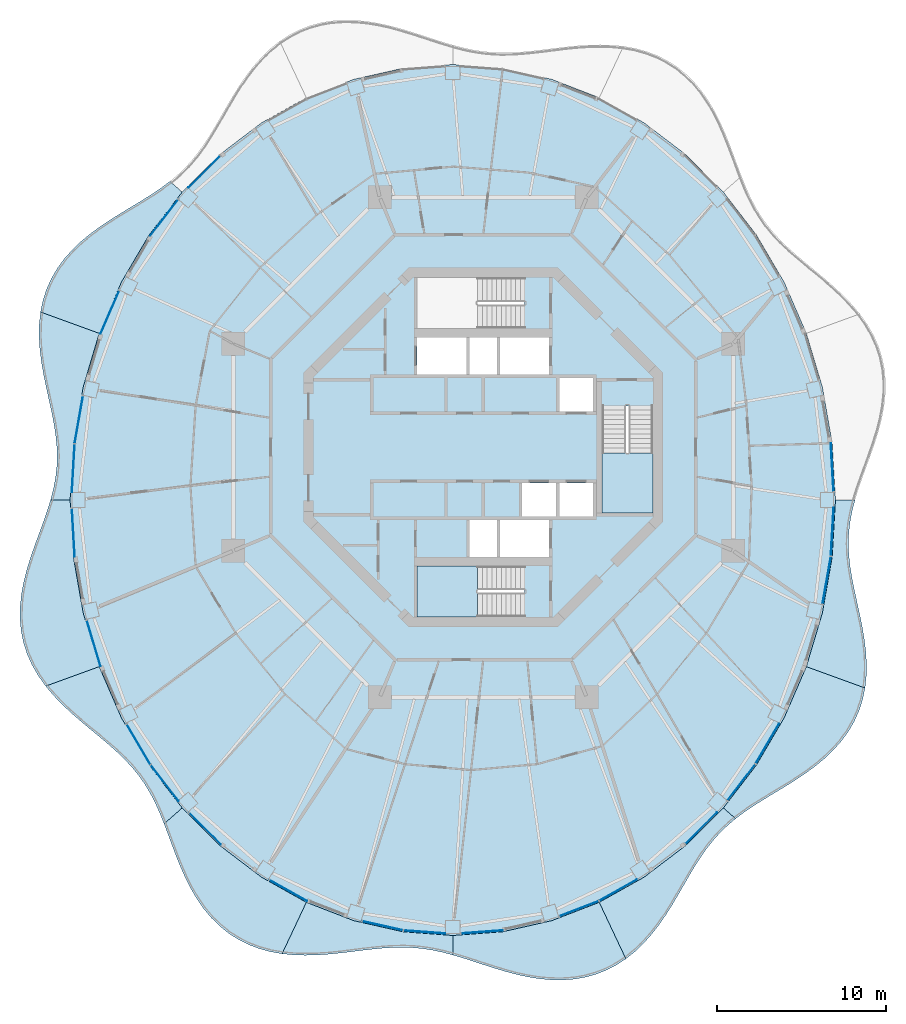
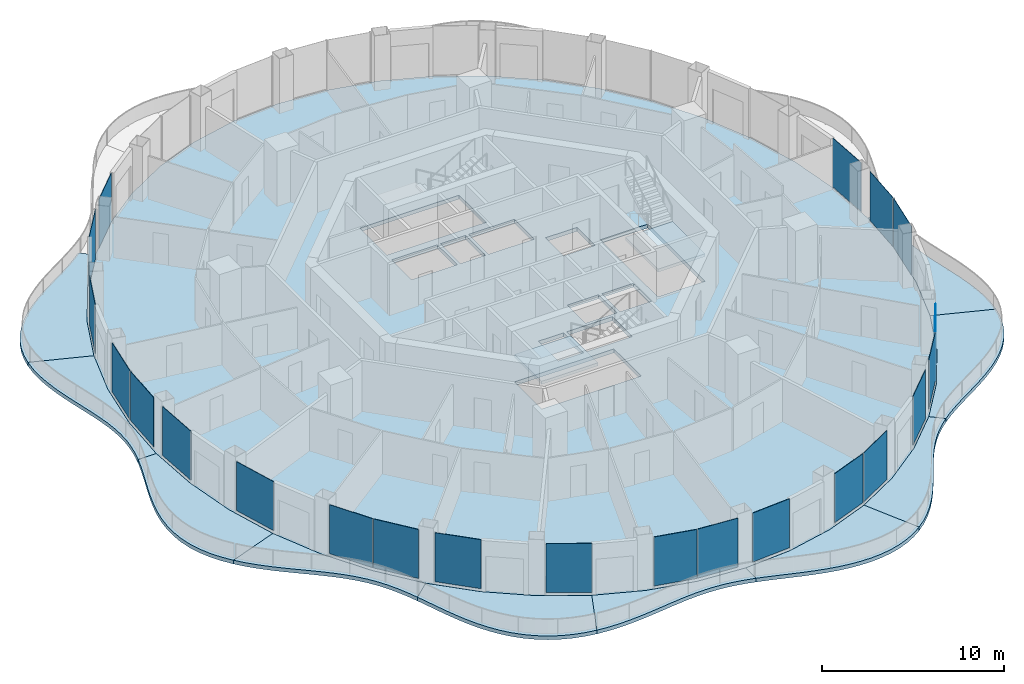
# One storey, part 8 of 18: 22 plates, 13 slabs, 24 elements without a shape of their own.
"""IFC4 building model written with IfcOpenShell, lengths in metres."""

import ifcopenshell
import ifcopenshell.guid

model = None  # the IFC model being written
_history = None  # IfcOwnerHistory: only IFC2X3 demands one
_inside = {}  # id of a spatial element -> (the spatial element, [elements in it])
_under = {}  # id of a project, library or spatial element -> (it, [spatial elements below it])
_declared = {}  # id of a project -> (the project, [libraries it declares])
_typed = {}  # id of a type object -> (the type object, [elements of that type])
_made_of = {}  # id of a material, layer set ... -> (it, [elements and type objects made of it])


def new_model(schema):
    """Start an empty IFC model of exactly this schema.

    Asked for "IFC4X3", IfcOpenShell would pick the latest addendum, in which some entities
    have other attributes; the version numbers below select the first issue.
    IFC2X3 requires an IfcOwnerHistory on every rooted entity: one is made here for all.
    """
    global model, _history
    if schema == "IFC4X3":
        model = ifcopenshell.file(schema_version=(4, 3, 0, 0))
    else:
        model = ifcopenshell.file(schema=schema)
    _inside.clear()
    _under.clear()
    _declared.clear()
    _typed.clear()
    _made_of.clear()
    _history = None
    if model.schema == "IFC2X3":
        org = make("IfcOrganization", Name="unknown")
        user = make(
            "IfcPersonAndOrganization",
            ThePerson=make("IfcPerson", FamilyName="unknown"),
            TheOrganization=org,
        )
        app = make(
            "IfcApplication",
            ApplicationDeveloper=org,
            Version="unknown",
            ApplicationFullName="unknown",
            ApplicationIdentifier="unknown",
        )
        _history = make(
            "IfcOwnerHistory",
            OwningUser=user,
            OwningApplication=app,
            ChangeAction="ADDED",
            CreationDate=0,
        )
    return model


def make(cls, **values):
    """One entity of the class cls with the attributes given. An attribute that is None is left unset."""
    return model.create_entity(
        cls, **{name: value for name, value in values.items() if value is not None}
    )


def rooted(cls, **values):
    """An entity with a GlobalId (a new one), such as an element, a storey or a relation."""
    return make(cls, GlobalId=ifcopenshell.guid.new(), OwnerHistory=_history, **values)


def si_unit(unit_type, name, prefix=None):
    """IfcSIUnit, for example si_unit("LENGTHUNIT", "METRE", prefix="MILLI")."""
    return make("IfcSIUnit", UnitType=unit_type, Prefix=prefix, Name=name)


def assignment(units):
    """IfcUnitAssignment: the units of a project."""
    return None if units is None else make("IfcUnitAssignment", Units=units)


def point(xyz):
    """IfcCartesianPoint."""
    return None if xyz is None else make("IfcCartesianPoint", Coordinates=xyz)


def direction(xyz):
    """IfcDirection."""
    return None if xyz is None else make("IfcDirection", DirectionRatios=xyz)


def frame(location, z_axis=None, x_axis=None):
    """IfcAxis2Placement3D, a coordinate frame: its origin and axes. An axis left out is left unset."""
    return make(
        "IfcAxis2Placement3D",
        Location=point(location),
        Axis=direction(z_axis),
        RefDirection=direction(x_axis),
    )


def frame_2d(location, x_axis=None):
    """IfcAxis2Placement2D, a coordinate frame in the plane: its origin and x axis."""
    return make(
        "IfcAxis2Placement2D", Location=point(location), RefDirection=direction(x_axis)
    )


def origin():
    """The frame at (0, 0, 0) with its axes left unset."""
    return frame((0.0, 0.0, 0.0))


def origin_2d():
    """The frame at (0, 0) in the plane with its x axis left unset."""
    return frame_2d((0.0, 0.0))


def place(relative_to, where):
    """IfcLocalPlacement: puts the frame where relative to a parent placement (None: the world)."""
    return make(
        "IfcLocalPlacement", PlacementRelTo=relative_to, RelativePlacement=where
    )


def context(
    kind, dimensions, precision=None, world=None, true_north=None, identifier=None
):
    """IfcGeometricRepresentationContext, for example the 3D "Model" context."""
    return make(
        "IfcGeometricRepresentationContext",
        ContextIdentifier=identifier,
        ContextType=kind,
        CoordinateSpaceDimension=dimensions,
        Precision=precision,
        WorldCoordinateSystem=world,
        TrueNorth=true_north,
    )


def subcontext(parent, identifier, kind, view, scale=None):
    """IfcGeometricRepresentationSubContext, for example "Body" below "Model"."""
    return make(
        "IfcGeometricRepresentationSubContext",
        ContextIdentifier=identifier,
        ContextType=kind,
        ParentContext=parent,
        TargetScale=scale,
        TargetView=view,
    )


def project(units=None, contexts=None):
    """IfcProject with its units and contexts."""
    return rooted(
        "IfcProject",
        Name="project",
        RepresentationContexts=contexts,
        UnitsInContext=assignment(units),
    )


def spatial(cls, under=None, at=None, **own):
    """A site, building, storey or space (cls), placed at a placement, below another one or the project."""
    s = rooted(cls, ObjectPlacement=at, **own)
    if under is not None:
        _under.setdefault(under.id(), (under, []))[1].append(s)
    return s


def polyline(points):
    """IfcPolyline through the points."""
    return make("IfcPolyline", Points=[point(p) for p in points])


def profile(cls, at=None, kind="AREA", **sizes):
    """A parametric profile (cls). Its sizes go by their IFC names, for example OverallWidth=200.0."""
    return make(cls, ProfileType=kind, Position=at, **sizes)


def rectangle(**sizes):
    """IfcRectangleProfileDef."""
    return profile("IfcRectangleProfileDef", **sizes)


def outline(outer, holes=None, kind="AREA"):
    """IfcArbitraryClosedProfileDef: a profile drawn as a closed curve; with holes, ...WithVoids."""
    if holes is None:
        return make("IfcArbitraryClosedProfileDef", ProfileType=kind, OuterCurve=outer)
    return make(
        "IfcArbitraryProfileDefWithVoids",
        ProfileType=kind,
        OuterCurve=outer,
        InnerCurves=holes,
    )


def extrude(swept, where, along, depth):
    """IfcExtrudedAreaSolid: the profile swept, set in the frame where, extruded along a direction by depth."""
    return make(
        "IfcExtrudedAreaSolid",
        SweptArea=swept,
        Position=where,
        ExtrudedDirection=direction(along),
        Depth=depth,
    )


def shape(context_of_items, identifier, shape_type, items):
    """IfcShapeRepresentation: the items that make up one representation, for example the "Body"."""
    return make(
        "IfcShapeRepresentation",
        ContextOfItems=context_of_items,
        RepresentationIdentifier=identifier,
        RepresentationType=shape_type,
        Items=items,
    )


def material(Name=None, Category=None):
    """IfcMaterial."""
    return make("IfcMaterial", Name=Name, Category=Category)


def layer(
    of_material, thickness, ventilated=None, Name=None, Category=None, Priority=None
):
    """IfcMaterialLayer: one layer of a wall or slab, of a material (None: an air gap)."""
    return make(
        "IfcMaterialLayer",
        Material=of_material,
        LayerThickness=thickness,
        IsVentilated=ventilated,
        Name=Name,
        Category=Category,
        Priority=Priority,
    )


def layer_set(layers, Name=None):
    """IfcMaterialLayerSet."""
    return make("IfcMaterialLayerSet", MaterialLayers=layers, LayerSetName=Name)


def made_of(thing, what):
    """Note that an element or type object is made of a material, layer set ...; save() writes the relation."""
    if what is not None:
        _made_of.setdefault(what.id(), (what, []))[1].append(thing)
    return thing


def type_object(cls, material=None, **own):
    """A type object (cls), such as IfcWallType, which elements share."""
    return made_of(rooted(cls, **own), material)


def element(
    cls,
    number,
    at=None,
    inside=None,
    cuts=None,
    type_object=None,
    material=None,
    context=None,
    identifier="Body",
    shape_type=None,
    held_by="IfcProductDefinitionShape",
    body=None,
    shapes=None,
    **own,
):
    """One element of the class cls, such as IfcWall. Its Tag is "e" and its number.

    at: its placement. inside: the storey or other place that contains it. cuts: it is an
    opening in that element (IfcRelVoidsElement). A single representation is given by context,
    identifier, shape_type and body (its items); several are given by shapes. held_by: the class
    of the entity that holds the representations. save() writes the other relations.
    """
    e = rooted(cls, Tag="e%d" % number, ObjectPlacement=at, **own)
    if body is not None:
        shapes = [shape(context, identifier, shape_type, body)]
    if shapes is not None:
        e.Representation = make(held_by, Representations=shapes)
    if inside is not None:
        _inside.setdefault(inside.id(), (inside, []))[1].append(e)
    if cuts is not None:
        rooted(
            "IfcRelVoidsElement", RelatingBuildingElement=cuts, RelatedOpeningElement=e
        )
    if type_object is not None:
        _typed.setdefault(type_object.id(), (type_object, []))[1].append(e)
    return made_of(e, material)


def aggregate(whole, parts):
    """IfcRelAggregates: a whole, such as a stair, and the parts it consists of."""
    return rooted("IfcRelAggregates", RelatingObject=whole, RelatedObjects=parts)


def save(model, path):
    """Write the relations noted so far, then the file.

    IfcRelAggregates (storeys below a building ...), IfcRelContainedInSpatialStructure (elements
    in a storey), IfcRelDefinesByType, IfcRelAssociatesMaterial and IfcRelDeclares: one each for
    every whole, place, type object, material and project.
    """
    for whole, parts in _under.values():
        aggregate(whole, parts)
    for where, things in _inside.values():
        rooted(
            "IfcRelContainedInSpatialStructure",
            RelatedElements=things,
            RelatingStructure=where,
        )
    for kind, things in _typed.values():
        rooted("IfcRelDefinesByType", RelatedObjects=things, RelatingType=kind)
    for what, things in _made_of.values():
        rooted("IfcRelAssociatesMaterial", RelatedObjects=things, RelatingMaterial=what)
    for by, libraries in _declared.values():
        rooted("IfcRelDeclares", RelatingContext=by, RelatedDefinitions=libraries)
    model.write(path)


model = new_model("IFC4")

# Units and contexts
model_context = context("Model", 3, precision=1e-05, world=origin(), true_north=direction((0.0, 1.0)))
body_context = subcontext(model_context, "Body", "Model", "MODEL_VIEW")
ifc_project = project(units=[si_unit("LENGTHUNIT", "METRE"), si_unit("AREAUNIT", "SQUARE_METRE"), si_unit("VOLUMEUNIT", "CUBIC_METRE"), si_unit("PLANEANGLEUNIT", "RADIAN"), si_unit("MASSUNIT", "GRAM", prefix="KILO")], contexts=[model_context])

# Site, building, storey
site_placement = place(None, origin())
site = spatial("IfcSite", under=ifc_project, at=site_placement, CompositionType="ELEMENT")
building_placement = place(site_placement, origin())
building = spatial("IfcBuilding", under=site, at=building_placement, Name="Nagisa Residences", CompositionType="ELEMENT")
storey_placement = place(building_placement, frame((0.0, 0.0, 284.39990234375)))
storey = spatial("IfcBuildingStorey", under=building, at=storey_placement, Name="L72", CompositionType="ELEMENT", Elevation=284.39990234375)

# Slabs
ifc_material_1 = material(Name="Concrete C40/50", Category="concrete")
ifc_layer_1 = layer(ifc_material_1, 0.25)
ifc_layer_set_1 = layer_set([ifc_layer_1], Name="BALCONY SLAB 250")
slab_type_1 = type_object("IfcSlabType", Name="BALCONY SLAB 250", PredefinedType="FLOOR", material=ifc_layer_set_1)
slab_1_placement = place(storey_placement, frame((0.0, 0.0, -0.25)))
element("IfcSlab", 1, at=slab_1_placement, inside=storey, type_object=slab_type_1, Name="slab:L72:bal06", PredefinedType="FLOOR", context=body_context, shape_type="SweptSolid", body=[
    extrude(outline(polyline([(-18.51708984375, 15.718017578125), (-19.037353515625, 15.328369140625), (-19.589111328125, 14.954833984375), (-20.168212890625, 14.59033203125), (-20.7685546875, 14.2265625), (-21.381591796875, 13.8564453125), (-21.99853515625, 13.47216796875), (-22.608154296875, 13.067138671875), (-23.199951171875, 12.6357421875), (-23.7626953125, 12.173095703125), (-24.28564453125, 11.6767578125), (-24.75927734375, 11.14453125), (-25.17529296875, 10.57666015625), (-25.527099609375, 9.974365234375), (-25.810302734375, 9.3408203125), (-26.023193359375, 8.67919921875), (-26.165771484375, 7.994873046875), (-22.6982421875, 6.732666015625), (-21.389404296875, 9.752197265625), (-19.74560546875, 12.5517578125), (-17.794677734375, 15.083251953125), (-18.51708984375, 15.718017578125)])), origin(), (0.0, 0.0, 1.0), 0.25),
])
slab_2_placement = place(storey_placement, frame((0.0, 0.0, -0.25)))
element("IfcSlab", 2, at=slab_2_placement, inside=storey, type_object=slab_type_1, Name="slab:L72:bal07", PredefinedType="FLOOR", context=body_context, shape_type="SweptSolid", body=[
    extrude(outline(polyline([(-26.165771484375, 7.994873046875), (-26.242919921875, 7.27001953125), (-26.254150390625, 6.53271484375), (-26.208251953125, 5.7890625), (-26.115234375, 5.044677734375), (-25.987060546875, 4.3046875), (-25.837158203125, 3.573974609375), (-25.678466796875, 2.85498046875), (-25.524658203125, 2.14990234375), (-25.38818359375, 1.459716796875), (-25.2802734375, 0.783935546875), (-25.2099609375, 0.120361328125), (-25.1845703125, -0.532958984375), (-25.2080078125, -1.179931640625), (-25.281982421875, -1.82373046875), (-25.40478515625, -2.46826171875), (-25.572021484375, -3.11767578125), (-24.419921875, -3.11767578125), (-24.2265625, 0.241943359375), (-23.649169921875, 3.544189453125), (-22.6982421875, 6.732666015625), (-26.165771484375, 7.994873046875)])), origin(), (0.0, 0.0, 1.0), 0.25),
])
slab_3_placement = place(storey_placement, frame((0.0, 0.0, -0.25)))
element("IfcSlab", 3, at=slab_3_placement, inside=storey, type_object=slab_type_1, Name="slab:L72:bal08", PredefinedType="FLOOR", context=body_context, shape_type="SweptSolid", body=[
    extrude(outline(polyline([(-25.572021484375, -3.11767578125), (-25.77685546875, -3.775146484375), (-26.009521484375, -4.443115234375), (-26.259033203125, -5.123291015625), (-26.512451171875, -5.816650390625), (-26.75634765625, -6.5224609375), (-26.976806640625, -7.2392578125), (-27.160888671875, -7.96435546875), (-27.296142578125, -8.693603515625), (-27.3720703125, -9.423095703125), (-27.380126953125, -10.147705078125), (-27.314453125, -10.862060546875), (-27.17138671875, -11.560791015625), (-26.950927734375, -12.239501953125), (-26.6552734375, -12.89404296875), (-26.289794921875, -13.521484375), (-25.86181640625, -14.11962890625), (-22.6982421875, -12.968017578125), (-23.649169921875, -9.77978515625), (-24.2265625, -6.4775390625), (-24.419921875, -3.11767578125), (-25.572021484375, -3.11767578125)])), origin(), (0.0, 0.0, 1.0), 0.25),
])
slab_4_placement = place(storey_placement, frame((0.0, 0.0, -0.25)))
element("IfcSlab", 4, at=slab_4_placement, inside=storey, type_object=slab_type_1, Name="slab:L72:bal09", PredefinedType="FLOOR", context=body_context, shape_type="SweptSolid", body=[
    extrude(outline(polyline([(-25.86181640625, -14.11962890625), (-25.39697265625, -14.671142578125), (-24.892822265625, -15.195556640625), (-24.36083984375, -15.695556640625), (-23.812744140625, -16.17431640625), (-23.259765625, -16.636474609375), (-22.713623046875, -17.087646484375), (-22.18359375, -17.533935546875), (-21.678466796875, -17.981689453125), (-21.20458984375, -18.43798828125), (-20.766845703125, -18.908447265625), (-20.3671875, -19.39892578125), (-20.005615234375, -19.913818359375), (-19.679931640625, -20.456298828125), (-19.38525390625, -21.0283203125), (-19.115478515625, -21.629150390625), (-18.862548828125, -22.257080078125), (-17.794677734375, -21.318603515625), (-19.74560546875, -18.787109375), (-21.389404296875, -15.98779296875), (-22.6982421875, -12.968017578125), (-25.86181640625, -14.11962890625)])), origin(), (0.0, 0.0, 1.0), 0.25),
])
slab_5_placement = place(storey_placement, frame((0.0, 0.0, -0.25)))
element("IfcSlab", 5, at=slab_5_placement, inside=storey, type_object=slab_type_1, Name="slab:L72:bal10", PredefinedType="FLOOR", context=body_context, shape_type="SweptSolid", body=[
    extrude(outline(polyline([(-18.862548828125, -22.257080078125), (-18.62939453125, -22.877197265625), (-18.395263671875, -23.513671875), (-18.151611328125, -24.16015625), (-17.890380859375, -24.80908203125), (-17.60400390625, -25.45263671875), (-17.285888671875, -26.081787109375), (-16.93017578125, -26.687744140625), (-16.532958984375, -27.26123046875), (-16.091552734375, -27.794189453125), (-15.60546875, -28.27880859375), (-15.0751953125, -28.708984375), (-14.503173828125, -29.080078125), (-13.893310546875, -29.388671875), (-13.25048828125, -29.634033203125), (-12.580322265625, -29.816650390625), (-11.889892578125, -29.939697265625), (-10.456298828125, -26.8984375), (-13.110107421875, -25.4091796875), (-15.570068359375, -23.53857421875), (-17.794677734375, -21.318603515625), (-18.862548828125, -22.257080078125)])), origin(), (0.0, 0.0, 1.0), 0.25),
])
slab_6_placement = place(storey_placement, frame((0.0, 0.0, -0.25)))
element("IfcSlab", 6, at=slab_6_placement, inside=storey, type_object=slab_type_1, Name="slab:L72:bal11", PredefinedType="FLOOR", context=body_context, shape_type="SweptSolid", body=[
    extrude(outline(polyline([(-11.889892578125, -29.939697265625), (-11.2109375, -30.00634765625), (-10.525390625, -30.02783203125), (-9.838623046875, -30.01123046875), (-9.15576171875, -29.965087890625), (-8.48095703125, -29.898193359375), (-7.81787109375, -29.819580078125), (-7.16845703125, -29.739013671875), (-6.533935546875, -29.665283203125), (-5.914306640625, -29.606201171875), (-5.308349609375, -29.5693359375), (-4.7138671875, -29.560302734375), (-4.128173828125, -29.583251953125), (-3.5478515625, -29.64013671875), (-2.96875, -29.731689453125), (-2.387451171875, -29.85595703125), (-1.800048828125, -30.009765625), (-1.800048828125, -28.857666015625), (-4.75244140625, -28.637451171875), (-7.654541015625, -27.980712890625), (-10.456298828125, -26.8984375), (-11.889892578125, -29.939697265625)])), origin(), (0.0, 0.0, 1.0), 0.25),
])
slab_7_placement = place(storey_placement, frame((0.0, 0.0, -0.25)))
element("IfcSlab", 7, at=slab_7_placement, inside=storey, type_object=slab_type_1, Name="slab:L72:bal12", PredefinedType="FLOOR", context=body_context, shape_type="SweptSolid", body=[
    extrude(outline(polyline([(-1.800048828125, -30.009765625), (-1.203125, -30.187744140625), (-0.594482421875, -30.3828125), (0.02783203125, -30.58740234375), (0.664794921875, -30.7919921875), (1.3154296875, -30.987060546875), (1.97900390625, -31.162841796875), (2.652587890625, -31.3095703125), (3.3330078125, -31.418212890625), (4.015625, -31.480224609375), (4.69580078125, -31.489013671875), (5.3681640625, -31.43896484375), (6.027099609375, -31.326171875), (6.667236328125, -31.14892578125), (7.2841796875, -30.9072265625), (7.873046875, -30.6025390625), (8.430908203125, -30.239013671875), (6.856201171875, -26.8984375), (4.054443359375, -27.980712890625), (1.152587890625, -28.637451171875), (-1.800048828125, -28.857666015625), (-1.800048828125, -30.009765625)])), origin(), (0.0, 0.0, 1.0), 0.25),
])
slab_8_placement = place(storey_placement, frame((0.0, 0.0, -0.25)))
element("IfcSlab", 8, at=slab_8_placement, inside=storey, type_object=slab_type_1, Name="slab:L72:bal13", PredefinedType="FLOOR", context=body_context, shape_type="SweptSolid", body=[
    extrude(outline(polyline([(8.430908203125, -30.239013671875), (8.974365234375, -29.8046875), (9.480712890625, -29.319580078125), (9.950439453125, -28.792236328125), (10.38525390625, -28.232177734375), (10.788818359375, -27.649169921875), (11.16552734375, -27.0537109375), (11.521484375, -26.454833984375), (11.86328125, -25.861572265625), (12.197998046875, -25.2822265625), (12.53369140625, -24.722900390625), (12.876953125, -24.18896484375), (13.2353515625, -23.68359375), (13.614501953125, -23.2080078125), (14.01904296875, -22.7626953125), (14.45263671875, -22.345458984375), (14.9169921875, -21.953369140625), (14.19482421875, -21.318603515625), (11.97021484375, -23.53857421875), (9.510009765625, -25.4091796875), (6.856201171875, -26.8984375), (8.430908203125, -30.239013671875)])), origin(), (0.0, 0.0, 1.0), 0.25),
])
slab_9_placement = place(storey_placement, frame((0.0, 0.0, -0.25)))
element("IfcSlab", 9, at=slab_9_placement, inside=storey, type_object=slab_type_1, Name="slab:L72:bal14", PredefinedType="FLOOR", context=body_context, shape_type="SweptSolid", body=[
    extrude(outline(polyline([(14.9169921875, -21.953369140625), (15.437255859375, -21.563720703125), (15.989013671875, -21.190185546875), (16.568115234375, -20.82568359375), (17.16845703125, -20.462158203125), (17.78173828125, -20.091796875), (18.3984375, -19.70751953125), (19.00830078125, -19.302490234375), (19.599853515625, -18.87109375), (20.16259765625, -18.40869140625), (20.685546875, -17.912109375), (21.1591796875, -17.3798828125), (21.5751953125, -16.81201171875), (21.927001953125, -16.209716796875), (22.210205078125, -15.576171875), (22.423095703125, -14.91455078125), (22.56591796875, -14.230224609375), (19.09814453125, -12.968017578125), (17.78955078125, -15.98779296875), (16.145751953125, -18.787109375), (14.19482421875, -21.318603515625), (14.9169921875, -21.953369140625)])), origin(), (0.0, 0.0, 1.0), 0.25),
])
slab_10_placement = place(storey_placement, frame((0.0, 0.0, -0.25)))
element("IfcSlab", 10, at=slab_10_placement, inside=storey, type_object=slab_type_1, Name="slab:L72:bal15", PredefinedType="FLOOR", context=body_context, shape_type="SweptSolid", body=[
    extrude(outline(polyline([(22.56591796875, -14.230224609375), (22.642822265625, -13.505615234375), (22.654296875, -12.76806640625), (22.608154296875, -12.0244140625), (22.51513671875, -11.280029296875), (22.38720703125, -10.540283203125), (22.237060546875, -9.809326171875), (22.078369140625, -9.09033203125), (21.924560546875, -8.385498046875), (21.7880859375, -7.6953125), (21.68017578125, -7.019287109375), (21.610107421875, -6.355712890625), (21.58447265625, -5.702392578125), (21.60791015625, -5.0556640625), (21.681884765625, -4.411865234375), (21.8046875, -3.76708984375), (21.97216796875, -3.11767578125), (20.820068359375, -3.11767578125), (20.62646484375, -6.4775390625), (20.04931640625, -9.77978515625), (19.09814453125, -12.968017578125), (22.56591796875, -14.230224609375)])), origin(), (0.0, 0.0, 1.0), 0.25),
])

# Curtain wall, plate
ifc_material_2 = material(Name="Concrete-coloured aluminium curtain wall system", Category="concrete")
ifc_layer_2 = layer(ifc_material_2, 0.159912109375)
ifc_layer_set_2 = layer_set([ifc_layer_2], Name="CW1 CURTAIN WALL")
curtain_wall_type = type_object("IfcCurtainWallType", Name="CW1 CURTAIN WALL", PredefinedType="NOTDEFINED", material=ifc_layer_set_2)
curtain_wall_1_placement = place(storey_placement, origin())
curtain_wall_1 = element("IfcCurtainWall", 11, at=curtain_wall_1_placement, inside=storey, type_object=curtain_wall_type, Name="cw:CW1:L72:00", PredefinedType="NOTDEFINED")
ifc_material_3 = material(Name="Clear laminated glass", Category="glass")
ifc_layer_3 = layer(ifc_material_3, 0.028076171875)
ifc_layer_set_3 = layer_set([ifc_layer_3], Name="CW1 GLASS PANEL")
plate_type = type_object("IfcPlateType", Name="CW1 GLASS PANEL", PredefinedType="CURTAIN_PANEL", material=ifc_layer_set_3)
plate_1_placement = place(storey_placement, frame((20.628662109375, -1.187744140625, 0.150146484375), z_axis=(0.0, 0.0, 1.0), x_axis=(-0.057503492216, 0.998345305184, 0.0)))
plate_1 = element("IfcPlate", 12, at=plate_1_placement, type_object=plate_type, Name="CW1 panel", PredefinedType="CURTAIN_PANEL", context=body_context, shape_type="SweptSolid", body=[
    extrude(rectangle(XDim=2.855224609375, YDim=0.028076171875, at=origin_2d()), origin(), (0.0, 0.0, 1.0), 3.2900390625),
])
aggregate(curtain_wall_1, [plate_1])

curtain_wall_2_placement = place(storey_placement, origin())
curtain_wall_2 = element("IfcCurtainWall", 13, at=curtain_wall_2_placement, inside=storey, type_object=curtain_wall_type, Name="cw:CW1:L72:17", PredefinedType="NOTDEFINED")
plate_2_placement = place(storey_placement, frame((-16.488037109375, 16.2744140625, 0.150146484375), z_axis=(0.0, 0.0, 1.0), x_axis=(-0.707835924016, -0.706376885714, 0.0)))
plate_2 = element("IfcPlate", 14, at=plate_2_placement, type_object=plate_type, Name="CW1 panel", PredefinedType="CURTAIN_PANEL", context=body_context, shape_type="SweptSolid", body=[
    extrude(rectangle(XDim=2.6328125, YDim=0.028076171875, at=origin_2d()), origin(), (0.0, 0.0, 1.0), 3.2900390625),
])
aggregate(curtain_wall_2, [plate_2])

curtain_wall_3_placement = place(storey_placement, origin())
curtain_wall_3 = element("IfcCurtainWall", 15, at=curtain_wall_3_placement, inside=storey, type_object=curtain_wall_type, Name="cw:CW1:L72:18", PredefinedType="NOTDEFINED")
plate_3_placement = place(storey_placement, frame((-18.862548828125, 13.566650390625, 0.150146484375), z_axis=(0.0, 0.0, 1.0), x_axis=(-0.610429828235, -0.792070340816, 0.0)))
plate_3 = element("IfcPlate", 16, at=plate_3_placement, type_object=plate_type, Name="CW1 panel", PredefinedType="CURTAIN_PANEL", context=body_context, shape_type="SweptSolid", body=[
    extrude(rectangle(XDim=2.68603515625, YDim=0.028076171875, at=origin_2d()), origin(), (0.0, 0.0, 1.0), 3.2900390625),
])
aggregate(curtain_wall_3, [plate_3])

curtain_wall_4_placement = place(storey_placement, origin())
curtain_wall_4 = element("IfcCurtainWall", 17, at=curtain_wall_4_placement, inside=storey, type_object=curtain_wall_type, Name="cw:CW1:L72:20", PredefinedType="NOTDEFINED")
plate_4_placement = place(storey_placement, frame((-22.07177734375, 7.9765625, 0.150146484375), z_axis=(0.0, 0.0, 1.0), x_axis=(-0.397635934147, -0.917543276295, 0.0)))
plate_4 = element("IfcPlate", 18, at=plate_4_placement, type_object=plate_type, Name="CW1 panel", PredefinedType="CURTAIN_PANEL", context=body_context, shape_type="SweptSolid", body=[
    extrude(rectangle(XDim=2.781005859375, YDim=0.028076171875, at=origin_2d()), origin(), (0.0, 0.0, 1.0), 3.2900390625),
])
aggregate(curtain_wall_4, [plate_4])

curtain_wall_5_placement = place(storey_placement, origin())
curtain_wall_5 = element("IfcCurtainWall", 19, at=curtain_wall_5_placement, inside=storey, type_object=curtain_wall_type, Name="cw:CW1:L72:22", PredefinedType="NOTDEFINED")
plate_5_placement = place(storey_placement, frame((-23.903076171875, 1.628173828125, 0.150146484375), z_axis=(0.0, 0.0, 1.0), x_axis=(-0.172190868898, -0.985063604377, 0.0)))
plate_5 = element("IfcPlate", 20, at=plate_5_placement, type_object=plate_type, Name="CW1 panel", PredefinedType="CURTAIN_PANEL", context=body_context, shape_type="SweptSolid", body=[
    extrude(rectangle(XDim=2.84228515625, YDim=0.028076171875, at=origin_2d()), origin(), (0.0, 0.0, 1.0), 3.2900390625),
])
aggregate(curtain_wall_5, [plate_5])

curtain_wall_6_placement = place(storey_placement, origin())
curtain_wall_6 = element("IfcCurtainWall", 21, at=curtain_wall_6_placement, inside=storey, type_object=curtain_wall_type, Name="cw:CW1:L72:23", PredefinedType="NOTDEFINED")
plate_6_placement = place(storey_placement, frame((-24.232177734375, -1.247802734375, 0.150146484375), z_axis=(0.0, 0.0, 1.0), x_axis=(-0.057503492216, -0.998345305184, 0.0)))
plate_6 = element("IfcPlate", 22, at=plate_6_placement, type_object=plate_type, Name="CW1 panel", PredefinedType="CURTAIN_PANEL", context=body_context, shape_type="SweptSolid", body=[
    extrude(rectangle(XDim=2.855224609375, YDim=0.028076171875, at=origin_2d()), origin(), (0.0, 0.0, 1.0), 3.2900390625),
])
aggregate(curtain_wall_6, [plate_6])

curtain_wall_7_placement = place(storey_placement, origin())
curtain_wall_7 = element("IfcCurtainWall", 23, at=curtain_wall_7_placement, inside=storey, type_object=curtain_wall_type, Name="cw:CW1:L72:24", PredefinedType="NOTDEFINED")
plate_7_placement = place(storey_placement, frame((-24.228759765625, -5.047607421875, 0.150146484375), z_axis=(0.0, 0.0, 1.0), x_axis=(0.057503492216, -0.998345305184, 0.0)))
plate_7 = element("IfcPlate", 24, at=plate_7_placement, type_object=plate_type, Name="CW1 panel", PredefinedType="CURTAIN_PANEL", context=body_context, shape_type="SweptSolid", body=[
    extrude(rectangle(XDim=2.855224609375, YDim=0.028076171875, at=origin_2d()), origin(), (0.0, 0.0, 1.0), 3.2900390625),
])
aggregate(curtain_wall_7, [plate_7])

curtain_wall_8_placement = place(storey_placement, origin())
curtain_wall_8 = element("IfcCurtainWall", 25, at=curtain_wall_8_placement, inside=storey, type_object=curtain_wall_type, Name="cw:CW1:L72:26", PredefinedType="NOTDEFINED")
plate_8_placement = place(storey_placement, frame((-23.024169921875, -11.59521484375, 0.150146484375), z_axis=(0.0, 0.0, 1.0), x_axis=(0.285860274038, -0.958271310082, 0.0)))
plate_8 = element("IfcPlate", 26, at=plate_8_placement, type_object=plate_type, Name="CW1 panel", PredefinedType="CURTAIN_PANEL", context=body_context, shape_type="SweptSolid", body=[
    extrude(rectangle(XDim=2.817138671875, YDim=0.028076171875, at=origin_2d()), origin(), (0.0, 0.0, 1.0), 3.2900390625),
])
aggregate(curtain_wall_8, [plate_8])

curtain_wall_9_placement = place(storey_placement, origin())
curtain_wall_9 = element("IfcCurtainWall", 27, at=curtain_wall_9_placement, inside=storey, type_object=curtain_wall_type, Name="cw:CW1:L72:28", PredefinedType="NOTDEFINED")
plate_9_placement = place(storey_placement, frame((-20.369384765625, -17.56689453125, 0.150146484375), z_axis=(0.0, 0.0, 1.0), x_axis=(0.506348567002, -0.862328898214, 0.0)))
plate_9 = element("IfcPlate", 28, at=plate_9_placement, type_object=plate_type, Name="CW1 panel", PredefinedType="CURTAIN_PANEL", context=body_context, shape_type="SweptSolid", body=[
    extrude(rectangle(XDim=2.736572265625, YDim=0.028076171875, at=origin_2d()), origin(), (0.0, 0.0, 1.0), 3.2900390625),
])
aggregate(curtain_wall_9, [plate_9])

curtain_wall_10_placement = place(storey_placement, origin())
curtain_wall_10 = element("IfcCurtainWall", 29, at=curtain_wall_10_placement, inside=storey, type_object=curtain_wall_type, Name="cw:CW1:L72:29", PredefinedType="NOTDEFINED")
plate_10_placement = place(storey_placement, frame((-18.825927734375, -19.849609375, 0.150146484375), z_axis=(0.0, 0.0, 1.0), x_axis=(0.610429828235, -0.792070340816, 0.0)))
plate_10 = element("IfcPlate", 30, at=plate_10_placement, type_object=plate_type, Name="CW1 panel", PredefinedType="CURTAIN_PANEL", context=body_context, shape_type="SweptSolid", body=[
    extrude(rectangle(XDim=2.68603515625, YDim=0.028076171875, at=origin_2d()), origin(), (0.0, 0.0, 1.0), 3.2900390625),
])
aggregate(curtain_wall_10, [plate_10])

curtain_wall_11_placement = place(storey_placement, origin())
curtain_wall_11 = element("IfcCurtainWall", 31, at=curtain_wall_11_placement, inside=storey, type_object=curtain_wall_type, Name="cw:CW1:L72:30", PredefinedType="NOTDEFINED")
plate_11_placement = place(storey_placement, frame((-16.445556640625, -22.552001953125, 0.150146484375), z_axis=(0.0, 0.0, 1.0), x_axis=(0.707835924016, -0.706376885714, 0.0)))
plate_11 = element("IfcPlate", 32, at=plate_11_placement, type_object=plate_type, Name="CW1 panel", PredefinedType="CURTAIN_PANEL", context=body_context, shape_type="SweptSolid", body=[
    extrude(rectangle(XDim=2.6328125, YDim=0.028076171875, at=origin_2d()), origin(), (0.0, 0.0, 1.0), 3.2900390625),
])
aggregate(curtain_wall_11, [plate_11])

curtain_wall_12_placement = place(storey_placement, origin())
curtain_wall_12 = element("IfcCurtainWall", 33, at=curtain_wall_12_placement, inside=storey, type_object=curtain_wall_type, Name="cw:CW1:L72:32", PredefinedType="NOTDEFINED")
plate_12_placement = place(storey_placement, frame((-11.521728515625, -26.208740234375, 0.150146484375), z_axis=(0.0, 0.0, 1.0), x_axis=(0.872072377523, -0.489376918501, 0.0)))
plate_12 = element("IfcPlate", 34, at=plate_12_placement, type_object=plate_type, Name="CW1 panel", PredefinedType="CURTAIN_PANEL", context=body_context, shape_type="SweptSolid", body=[
    extrude(rectangle(XDim=2.532958984375, YDim=0.028076171875, at=origin_2d()), origin(), (0.0, 0.0, 1.0), 3.2900390625),
])
aggregate(curtain_wall_12, [plate_12])

curtain_wall_13_placement = place(storey_placement, origin())
curtain_wall_13 = element("IfcCurtainWall", 35, at=curtain_wall_13_placement, inside=storey, type_object=curtain_wall_type, Name="cw:CW1:L72:34", PredefinedType="NOTDEFINED")
plate_13_placement = place(storey_placement, frame((-5.93701171875, -28.287353515625, 0.150146484375), z_axis=(0.0, 0.0, 1.0), x_axis=(0.975327274089, -0.2207639201, 0.0)))
plate_13 = element("IfcPlate", 36, at=plate_13_placement, type_object=plate_type, Name="CW1 panel", PredefinedType="CURTAIN_PANEL", context=body_context, shape_type="SweptSolid", body=[
    extrude(rectangle(XDim=2.46533203125, YDim=0.028076171875, at=origin_2d()), origin(), (0.0, 0.0, 1.0), 3.2900390625),
])
aggregate(curtain_wall_13, [plate_13])

curtain_wall_14_placement = place(storey_placement, origin())
curtain_wall_14 = element("IfcCurtainWall", 37, at=curtain_wall_14_placement, inside=storey, type_object=curtain_wall_type, Name="cw:CW1:L72:35", PredefinedType="NOTDEFINED")
plate_14_placement = place(storey_placement, frame((-3.46484375, -28.6533203125, 0.150146484375), z_axis=(0.0, 0.0, 1.0), x_axis=(0.997230168512, -0.074377355493, 0.0)))
plate_14 = element("IfcPlate", 38, at=plate_14_placement, type_object=plate_type, Name="CW1 panel", PredefinedType="CURTAIN_PANEL", context=body_context, shape_type="SweptSolid", body=[
    extrude(rectangle(XDim=2.45068359375, YDim=0.028076171875, at=origin_2d()), origin(), (0.0, 0.0, 1.0), 3.2900390625),
])
aggregate(curtain_wall_14, [plate_14])

curtain_wall_15_placement = place(storey_placement, origin())
curtain_wall_15 = element("IfcCurtainWall", 39, at=curtain_wall_15_placement, inside=storey, type_object=curtain_wall_type, Name="cw:CW1:L72:36", PredefinedType="NOTDEFINED")
plate_15_placement = place(storey_placement, frame((-0.075439453125, -28.64892578125, 0.150146484375), z_axis=(0.0, 0.0, 1.0), x_axis=(0.997230168512, 0.074377355493, 0.0)))
plate_15 = element("IfcPlate", 40, at=plate_15_placement, type_object=plate_type, Name="CW1 panel", PredefinedType="CURTAIN_PANEL", context=body_context, shape_type="SweptSolid", body=[
    extrude(rectangle(XDim=2.45068359375, YDim=0.028076171875, at=origin_2d()), origin(), (0.0, 0.0, 1.0), 3.2900390625),
])
aggregate(curtain_wall_15, [plate_15])

curtain_wall_16_placement = place(storey_placement, origin())
curtain_wall_16 = element("IfcCurtainWall", 41, at=curtain_wall_16_placement, inside=storey, type_object=curtain_wall_type, Name="cw:CW1:L72:38", PredefinedType="NOTDEFINED")
plate_16_placement = place(storey_placement, frame((5.66455078125, -27.27294921875, 0.150146484375), z_axis=(0.0, 0.0, 1.0), x_axis=(0.932825759707, 0.360327770268, 0.0)))
plate_16 = element("IfcPlate", 42, at=plate_16_placement, type_object=plate_type, Name="CW1 panel", PredefinedType="CURTAIN_PANEL", context=body_context, shape_type="SweptSolid", body=[
    extrude(rectangle(XDim=2.49365234375, YDim=0.028076171875, at=origin_2d()), origin(), (0.0, 0.0, 1.0), 3.2900390625),
])
aggregate(curtain_wall_16, [plate_16])

curtain_wall_17_placement = place(storey_placement, origin())
curtain_wall_17 = element("IfcCurtainWall", 43, at=curtain_wall_17_placement, inside=storey, type_object=curtain_wall_type, Name="cw:CW1:L72:39", PredefinedType="NOTDEFINED")
plate_17_placement = place(storey_placement, frame((7.973876953125, -26.179443359375, 0.150146484375), z_axis=(0.0, 0.0, 1.0), x_axis=(0.872072377523, 0.489376918501, 0.0)))
plate_17 = element("IfcPlate", 44, at=plate_17_placement, type_object=plate_type, Name="CW1 panel", PredefinedType="CURTAIN_PANEL", context=body_context, shape_type="SweptSolid", body=[
    extrude(rectangle(XDim=2.532958984375, YDim=0.028076171875, at=origin_2d()), origin(), (0.0, 0.0, 1.0), 3.2900390625),
])
aggregate(curtain_wall_17, [plate_17])

curtain_wall_18_placement = place(storey_placement, origin())
curtain_wall_18 = element("IfcCurtainWall", 45, at=curtain_wall_18_placement, inside=storey, type_object=curtain_wall_type, Name="cw:CW1:L72:41", PredefinedType="NOTDEFINED")
plate_18_placement = place(storey_placement, frame((12.887939453125, -22.509765625, 0.150146484375), z_axis=(0.0, 0.0, 1.0), x_axis=(0.707835924016, 0.706376885714, 0.0)))
plate_18 = element("IfcPlate", 46, at=plate_18_placement, type_object=plate_type, Name="CW1 panel", PredefinedType="CURTAIN_PANEL", context=body_context, shape_type="SweptSolid", body=[
    extrude(rectangle(XDim=2.6328125, YDim=0.028076171875, at=origin_2d()), origin(), (0.0, 0.0, 1.0), 3.2900390625),
])
aggregate(curtain_wall_18, [plate_18])

curtain_wall_19_placement = place(storey_placement, origin())
curtain_wall_19 = element("IfcCurtainWall", 47, at=curtain_wall_19_placement, inside=storey, type_object=curtain_wall_type, Name="cw:CW1:L72:42", PredefinedType="NOTDEFINED")
plate_19_placement = place(storey_placement, frame((15.262451171875, -19.802001953125, 0.150146484375), z_axis=(0.0, 0.0, 1.0), x_axis=(0.610429828235, 0.792070340816, 0.0)))
plate_19 = element("IfcPlate", 48, at=plate_19_placement, type_object=plate_type, Name="CW1 panel", PredefinedType="CURTAIN_PANEL", context=body_context, shape_type="SweptSolid", body=[
    extrude(rectangle(XDim=2.68603515625, YDim=0.028076171875, at=origin_2d()), origin(), (0.0, 0.0, 1.0), 3.2900390625),
])
aggregate(curtain_wall_19, [plate_19])

curtain_wall_20_placement = place(storey_placement, origin())
curtain_wall_20 = element("IfcCurtainWall", 49, at=curtain_wall_20_placement, inside=storey, type_object=curtain_wall_type, Name="cw:CW1:L72:43", PredefinedType="NOTDEFINED")
plate_20_placement = place(storey_placement, frame((16.7998046875, -17.51513671875, 0.150146484375), z_axis=(0.0, 0.0, 1.0), x_axis=(0.506348567002, 0.862328898214, 0.0)))
plate_20 = element("IfcPlate", 50, at=plate_20_placement, type_object=plate_type, Name="CW1 panel", PredefinedType="CURTAIN_PANEL", context=body_context, shape_type="SweptSolid", body=[
    extrude(rectangle(XDim=2.736572265625, YDim=0.028076171875, at=origin_2d()), origin(), (0.0, 0.0, 1.0), 3.2900390625),
])
aggregate(curtain_wall_20, [plate_20])

curtain_wall_21_placement = place(storey_placement, origin())
curtain_wall_21 = element("IfcCurtainWall", 51, at=curtain_wall_21_placement, inside=storey, type_object=curtain_wall_type, Name="cw:CW1:L72:46", PredefinedType="NOTDEFINED")
plate_21_placement = place(storey_placement, frame((20.302978515625, -7.863525390625, 0.150146484375), z_axis=(0.0, 0.0, 1.0), x_axis=(0.172190868898, 0.985063604377, 0.0)))
plate_21 = element("IfcPlate", 52, at=plate_21_placement, type_object=plate_type, Name="CW1 panel", PredefinedType="CURTAIN_PANEL", context=body_context, shape_type="SweptSolid", body=[
    extrude(rectangle(XDim=2.84228515625, YDim=0.028076171875, at=origin_2d()), origin(), (0.0, 0.0, 1.0), 3.2900390625),
])
aggregate(curtain_wall_21, [plate_21])

curtain_wall_22_placement = place(storey_placement, origin())
curtain_wall_22 = element("IfcCurtainWall", 53, at=curtain_wall_22_placement, inside=storey, type_object=curtain_wall_type, Name="cw:CW1:L72:47", PredefinedType="NOTDEFINED")
plate_22_placement = place(storey_placement, frame((20.632080078125, -4.987548828125, 0.150146484375), z_axis=(0.0, 0.0, 1.0), x_axis=(0.057503492216, 0.998345305184, 0.0)))
plate_22 = element("IfcPlate", 54, at=plate_22_placement, type_object=plate_type, Name="CW1 panel", PredefinedType="CURTAIN_PANEL", context=body_context, shape_type="SweptSolid", body=[
    extrude(rectangle(XDim=2.855224609375, YDim=0.028076171875, at=origin_2d()), origin(), (0.0, 0.0, 1.0), 3.2900390625),
])
aggregate(curtain_wall_22, [plate_22])

# Slab
ifc_material_4 = material(Name="Concrete C40", Category="concrete")
ifc_layer_4 = layer(ifc_material_4, 0.260009765625)
ifc_layer_set_4 = layer_set([ifc_layer_4], Name="Floor slab 260")
slab_type_2 = type_object("IfcSlabType", Name="Floor slab 260", PredefinedType="FLOOR", material=ifc_layer_set_4)
slab_11_placement = place(storey_placement, frame((0.0, 0.0, -0.260009765625)))
element("IfcSlab", 55, at=slab_11_placement, inside=storey, type_object=slab_type_2, Name="slab:L72:floor", PredefinedType="FLOOR", context=body_context, shape_type="SweptSolid", body=[
    extrude(outline(polyline([(20.820068359375, -3.11767578125), (20.62646484375, 0.241943359375), (20.04931640625, 3.544189453125), (19.09814453125, 6.732666015625), (17.78955078125, 9.752197265625), (16.145751953125, 12.5517578125), (14.19482421875, 15.083251953125), (11.97021484375, 17.30322265625), (9.510009765625, 19.173828125), (6.856201171875, 20.6630859375), (4.054443359375, 21.745361328125), (1.152587890625, 22.402099609375), (-1.800048828125, 22.622314453125), (-4.75244140625, 22.402099609375), (-7.654541015625, 21.745361328125), (-10.456298828125, 20.6630859375), (-13.110107421875, 19.173828125), (-15.570068359375, 17.30322265625), (-17.794677734375, 15.083251953125), (-19.74560546875, 12.5517578125), (-21.389404296875, 9.752197265625), (-22.6982421875, 6.732666015625), (-23.649169921875, 3.544189453125), (-24.2265625, 0.241943359375), (-24.419921875, -3.11767578125), (-24.2265625, -6.4775390625), (-23.649169921875, -9.77978515625), (-22.6982421875, -12.968017578125), (-21.389404296875, -15.98779296875), (-19.74560546875, -18.787109375), (-17.794677734375, -21.318603515625), (-15.570068359375, -23.53857421875), (-13.110107421875, -25.4091796875), (-10.456298828125, -26.8984375), (-7.654541015625, -27.980712890625), (-4.75244140625, -28.637451171875), (-1.800048828125, -28.857666015625), (1.152587890625, -28.637451171875), (4.054443359375, -27.980712890625), (6.856201171875, -26.8984375), (9.510009765625, -25.4091796875), (11.97021484375, -23.53857421875), (14.19482421875, -21.318603515625), (16.145751953125, -18.787109375), (17.78955078125, -15.98779296875), (19.09814453125, -12.968017578125), (20.04931640625, -9.77978515625), (20.62646484375, -6.4775390625), (20.820068359375, -3.11767578125)]), holes=[polyline([(6.5, 2.10009765625), (6.5, 4.10009765625), (4.5, 4.10009765625), (4.5, 2.10009765625), (6.5, 2.10009765625)]), polyline([(4.300048828125, -4.10009765625), (4.300048828125, -2.10009765625), (2.300048828125, -2.10009765625), (2.300048828125, -4.10009765625), (4.300048828125, -4.10009765625)]), polyline([(6.5, -4.10009765625), (6.5, -2.10009765625), (4.5, -2.10009765625), (4.5, -4.10009765625), (6.5, -4.10009765625)]), polyline([(3.89990234375, 4.300048828125), (3.89990234375, 6.5), (1.0, 6.5), (1.0, 4.300048828125), (3.89990234375, 4.300048828125)]), polyline([(3.89990234375, -6.5), (3.89990234375, -4.300048828125), (1.0, -4.300048828125), (1.0, -6.5), (3.89990234375, -6.5)]), polyline([(-1.0, 4.300048828125), (-1.0, 6.5), (-3.89990234375, 6.5), (-3.89990234375, 4.300048828125), (-1.0, 4.300048828125)]), polyline([(0.800048828125, 4.300048828125), (0.800048828125, 6.5), (-0.800048828125, 6.5), (-0.800048828125, 4.300048828125), (0.800048828125, 4.300048828125)]), polyline([(0.800048828125, -6.5), (0.800048828125, -4.300048828125), (-0.800048828125, -4.300048828125), (-0.800048828125, -6.5), (0.800048828125, -6.5)]), polyline([(10.024658203125, -3.89990234375), (7.024658203125, -3.89990234375), (7.024658203125, 2.425048828125), (10.024658203125, 2.425048828125), (10.024658203125, -3.89990234375)]), polyline([(-3.89990234375, 7.024658203125), (-3.89990234375, 10.024658203125), (2.425048828125, 10.024658203125), (2.425048828125, 7.024658203125), (-3.89990234375, 7.024658203125)]), polyline([(-3.89990234375, -10.024658203125), (-3.89990234375, -7.024658203125), (2.425048828125, -7.024658203125), (2.425048828125, -10.024658203125), (-3.89990234375, -10.024658203125)])]), origin(), (0.0, 0.0, 1.0), 0.260009765625),
])

# Stair, slab
ifc_material_5 = material(Name="Concrete C60", Category="concrete")
stair_type = type_object("IfcStairType", Name="Exit stair", PredefinedType="HALF_TURN_STAIR", material=ifc_material_5)
stair_1_placement = place(storey_placement, origin())
stair_1 = element("IfcStair", 56, at=stair_1_placement, inside=storey, type_object=stair_type, Name="L72 Exit stair E", PredefinedType="HALF_TURN_STAIR")
ifc_material_6 = material(Name="Concrete C60", Category="concrete")
ifc_layer_5 = layer(ifc_material_6, 0.199951171875)
ifc_layer_set_5 = layer_set([ifc_layer_5], Name="Stair landing")
slab_type_3 = type_object("IfcSlabType", Name="Stair landing", PredefinedType="LANDING", material=ifc_layer_set_5)
slab_12_placement = place(storey_placement, frame((0.0, 0.0, 1.650146484375)))
slab_12 = element("IfcSlab", 57, at=slab_12_placement, type_object=slab_type_3, Name="ST-E landing 1", PredefinedType="LANDING", context=body_context, shape_type="SweptSolid", body=[
    extrude(outline(polyline([(7.024658203125, -0.324951171875), (7.024658203125, -3.89990234375), (10.024658203125, -3.89990234375), (10.024658203125, -0.324951171875), (7.024658203125, -0.324951171875)])), origin(), (0.0, 0.0, 1.0), 0.199951171875),
])
aggregate(stair_1, [slab_12])

stair_2_placement = place(storey_placement, origin())
stair_2 = element("IfcStair", 58, at=stair_2_placement, inside=storey, type_object=stair_type, Name="L72 Exit stair S", PredefinedType="HALF_TURN_STAIR")
slab_13_placement = place(storey_placement, frame((0.0, 0.0, 1.650146484375)))
slab_13 = element("IfcSlab", 59, at=slab_13_placement, type_object=slab_type_3, Name="ST-S landing 1", PredefinedType="LANDING", context=body_context, shape_type="SweptSolid", body=[
    extrude(outline(polyline([(-0.324951171875, -7.024658203125), (-3.89990234375, -7.024658203125), (-3.89990234375, -10.024658203125), (-0.324951171875, -10.024658203125), (-0.324951171875, -7.024658203125)])), origin(), (0.0, 0.0, 1.0), 0.199951171875),
])
aggregate(stair_2, [slab_13])

save(model, "model.ifc")
